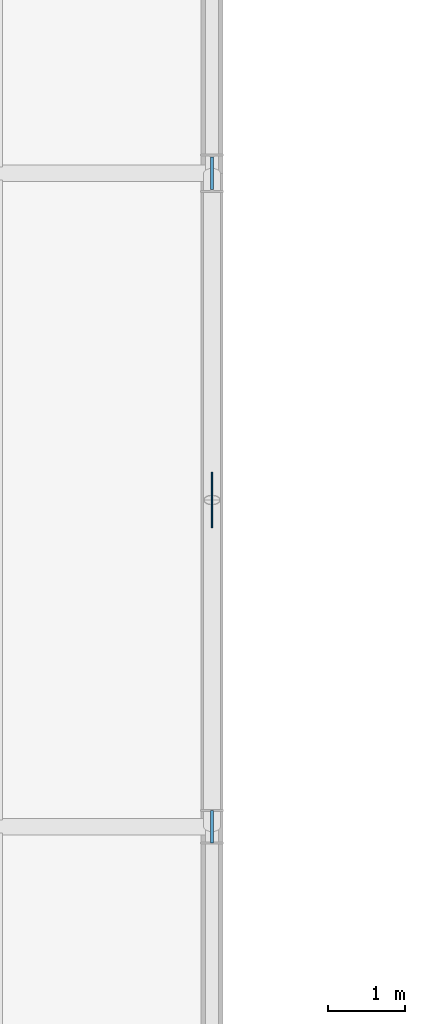
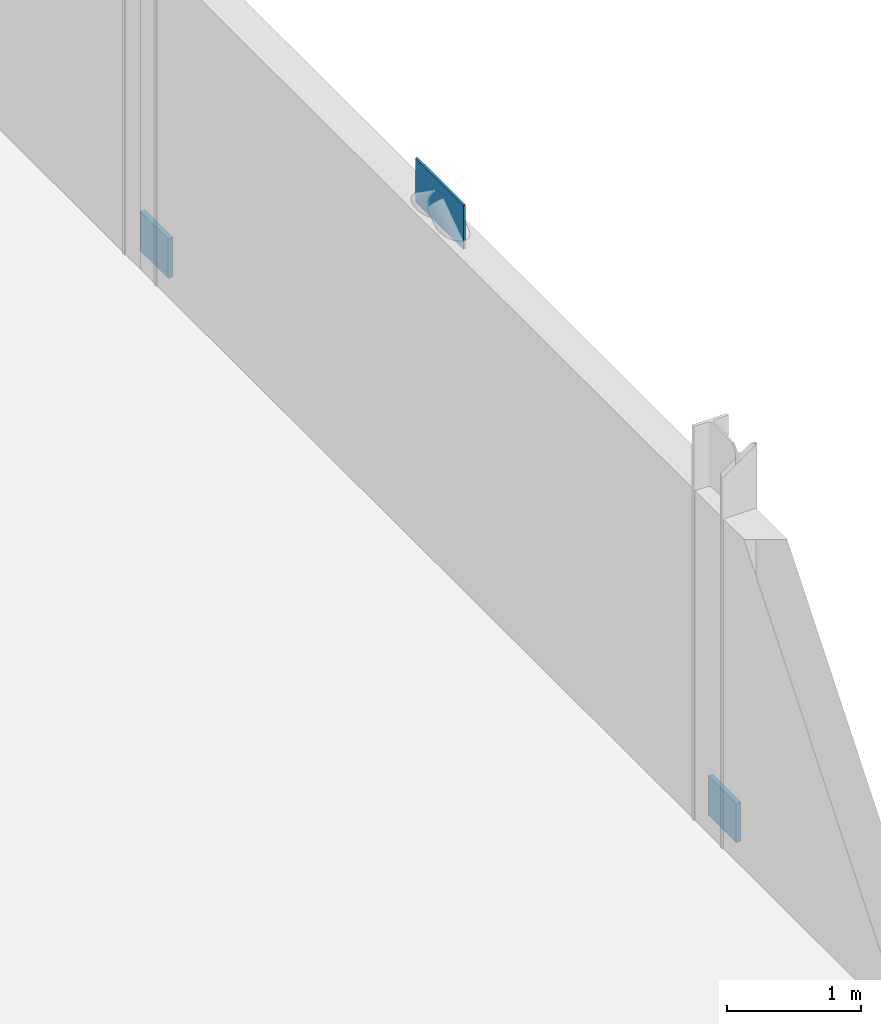
# One storey, part 14 of 30: 3 plates.
"""IFC4 building model written with IfcOpenShell, lengths in metres."""

from ifc_helpers import new_model, si_unit, direction, frame, origin, origin_2d, place, context, subcontext, project, spatial, rectangle, extrude, material, layer, layer_set, type_object, element, save


model = new_model("IFC4")

# Units and contexts
model_context = context("Model", 3, precision=1e-05, world=origin(), true_north=direction((0.0, 1.0)))
body_context = subcontext(model_context, "Body", "Model", "MODEL_VIEW")
ifc_project = project(units=[si_unit("LENGTHUNIT", "METRE"), si_unit("AREAUNIT", "SQUARE_METRE"), si_unit("VOLUMEUNIT", "CUBIC_METRE"), si_unit("PLANEANGLEUNIT", "RADIAN"), si_unit("MASSUNIT", "GRAM", prefix="KILO")], contexts=[model_context])

# Site, building, storey
site_placement = place(None, origin())
site = spatial("IfcSite", under=ifc_project, at=site_placement, CompositionType="ELEMENT")
building_placement = place(site_placement, origin())
building = spatial("IfcBuilding", under=site, at=building_placement, Name="Sefraquen Railside Congress Hotel", CompositionType="ELEMENT")
storey_placement = place(building_placement, frame((0.0, 0.0, 35.39990234375)))
storey = spatial("IfcBuildingStorey", under=building, at=storey_placement, Name="L08", CompositionType="ELEMENT", Elevation=35.39990234375)

# Plates
ifc_material = material(Name="Steel S355J2", Category="steel")
ifc_layer_1 = layer(ifc_material, 0.02001953125)
ifc_layer_set_1 = layer_set([ifc_layer_1], Name="Steel S355J2")
plate_type_1 = type_object("IfcPlateType", Name="TP-GUS-01", PredefinedType="SHEET", material=ifc_layer_set_1)
plate_placement = place(storey_placement, frame((25.199951171875, 75.25, 2.93017578125), z_axis=(0.0, 0.0, 1.0), x_axis=(0.0, 1.0, 0.0)))
element("IfcPlate", 1, at=plate_placement, inside=storey, type_object=plate_type_1, Name="Chevron braced-frame apex gusset plate BF2 L08", PredefinedType="SHEET", context=body_context, shape_type="SweptSolid", body=[
    extrude(rectangle(XDim=0.719970703125, YDim=0.02001953125, at=origin_2d()), origin(), (0.0, 0.0, 1.0), 0.39990234375),
])
ifc_layer_2 = layer(ifc_material, 0.0400390625)
ifc_layer_set_2 = layer_set([ifc_layer_2], Name="Steel S355J2")
plate_type_2 = type_object("IfcPlateType", Name="TP-GUS-02", PredefinedType="SHEET", material=ifc_layer_set_2)
for number, where, z_axis, x_axis, name in (
    (2, (25.199951171875, 71.0, 0.0), (0.0, 0.0, 1.0), (0.0, 1.0, 0.0), "Chevron braced-frame base gusset plate BF2-L L08"),
    (3, (25.199951171875, 79.5, 0.0), (0.0, 0.0, 1.0), (0.0, 1.0, 0.0), "Chevron braced-frame base gusset plate BF2-R L08"),
):
    element("IfcPlate", number, at=place(storey_placement, frame(where, z_axis=z_axis, x_axis=x_axis)), inside=storey, type_object=plate_type_2, Name=name, PredefinedType="SHEET", context=body_context, shape_type="SweptSolid", body=[
        extrude(rectangle(XDim=0.419921875, YDim=0.0400390625, at=origin_2d()), origin(), (0.0, 0.0, 1.0), 0.360107421875),
    ])

save(model, "model.ifc")
